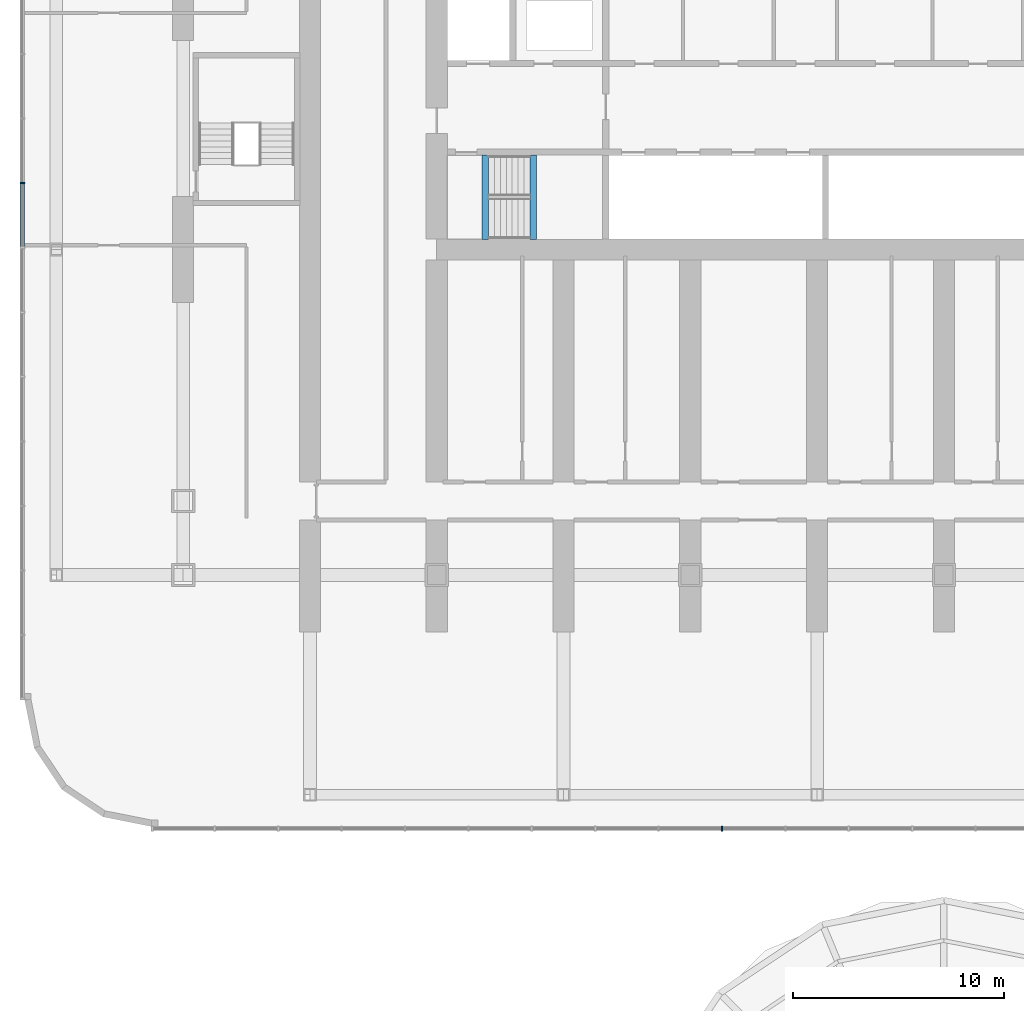
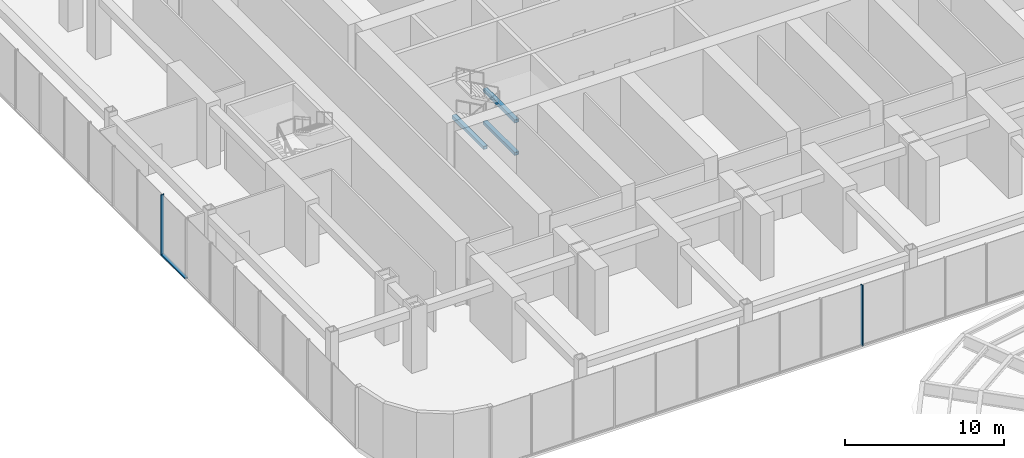
# One storey, part 6 of 37: 3 beams, 3 members, 2 elements without a shape of their own.
"""IFC4 building model written with IfcOpenShell, lengths in metres."""

import ifcopenshell
import ifcopenshell.guid

model = None  # the IFC model being written
_history = None  # IfcOwnerHistory: only IFC2X3 demands one
_inside = {}  # id of a spatial element -> (the spatial element, [elements in it])
_under = {}  # id of a project, library or spatial element -> (it, [spatial elements below it])
_declared = {}  # id of a project -> (the project, [libraries it declares])
_typed = {}  # id of a type object -> (the type object, [elements of that type])
_made_of = {}  # id of a material, layer set ... -> (it, [elements and type objects made of it])


def new_model(schema):
    """Start an empty IFC model of exactly this schema.

    Asked for "IFC4X3", IfcOpenShell would pick the latest addendum, in which some entities
    have other attributes; the version numbers below select the first issue.
    IFC2X3 requires an IfcOwnerHistory on every rooted entity: one is made here for all.
    """
    global model, _history
    if schema == "IFC4X3":
        model = ifcopenshell.file(schema_version=(4, 3, 0, 0))
    else:
        model = ifcopenshell.file(schema=schema)
    _inside.clear()
    _under.clear()
    _declared.clear()
    _typed.clear()
    _made_of.clear()
    _history = None
    if model.schema == "IFC2X3":
        org = make("IfcOrganization", Name="unknown")
        user = make(
            "IfcPersonAndOrganization",
            ThePerson=make("IfcPerson", FamilyName="unknown"),
            TheOrganization=org,
        )
        app = make(
            "IfcApplication",
            ApplicationDeveloper=org,
            Version="unknown",
            ApplicationFullName="unknown",
            ApplicationIdentifier="unknown",
        )
        _history = make(
            "IfcOwnerHistory",
            OwningUser=user,
            OwningApplication=app,
            ChangeAction="ADDED",
            CreationDate=0,
        )
    return model


def make(cls, **values):
    """One entity of the class cls with the attributes given. An attribute that is None is left unset."""
    return model.create_entity(
        cls, **{name: value for name, value in values.items() if value is not None}
    )


def rooted(cls, **values):
    """An entity with a GlobalId (a new one), such as an element, a storey or a relation."""
    return make(cls, GlobalId=ifcopenshell.guid.new(), OwnerHistory=_history, **values)


def si_unit(unit_type, name, prefix=None):
    """IfcSIUnit, for example si_unit("LENGTHUNIT", "METRE", prefix="MILLI")."""
    return make("IfcSIUnit", UnitType=unit_type, Prefix=prefix, Name=name)


def assignment(units):
    """IfcUnitAssignment: the units of a project."""
    return None if units is None else make("IfcUnitAssignment", Units=units)


def point(xyz):
    """IfcCartesianPoint."""
    return None if xyz is None else make("IfcCartesianPoint", Coordinates=xyz)


def direction(xyz):
    """IfcDirection."""
    return None if xyz is None else make("IfcDirection", DirectionRatios=xyz)


def frame(location, z_axis=None, x_axis=None):
    """IfcAxis2Placement3D, a coordinate frame: its origin and axes. An axis left out is left unset."""
    return make(
        "IfcAxis2Placement3D",
        Location=point(location),
        Axis=direction(z_axis),
        RefDirection=direction(x_axis),
    )


def frame_2d(location, x_axis=None):
    """IfcAxis2Placement2D, a coordinate frame in the plane: its origin and x axis."""
    return make(
        "IfcAxis2Placement2D", Location=point(location), RefDirection=direction(x_axis)
    )


def origin():
    """The frame at (0, 0, 0) with its axes left unset."""
    return frame((0.0, 0.0, 0.0))


def origin_2d():
    """The frame at (0, 0) in the plane with its x axis left unset."""
    return frame_2d((0.0, 0.0))


def place(relative_to, where):
    """IfcLocalPlacement: puts the frame where relative to a parent placement (None: the world)."""
    return make(
        "IfcLocalPlacement", PlacementRelTo=relative_to, RelativePlacement=where
    )


def context(
    kind, dimensions, precision=None, world=None, true_north=None, identifier=None
):
    """IfcGeometricRepresentationContext, for example the 3D "Model" context."""
    return make(
        "IfcGeometricRepresentationContext",
        ContextIdentifier=identifier,
        ContextType=kind,
        CoordinateSpaceDimension=dimensions,
        Precision=precision,
        WorldCoordinateSystem=world,
        TrueNorth=true_north,
    )


def subcontext(parent, identifier, kind, view, scale=None):
    """IfcGeometricRepresentationSubContext, for example "Body" below "Model"."""
    return make(
        "IfcGeometricRepresentationSubContext",
        ContextIdentifier=identifier,
        ContextType=kind,
        ParentContext=parent,
        TargetScale=scale,
        TargetView=view,
    )


def project(units=None, contexts=None):
    """IfcProject with its units and contexts."""
    return rooted(
        "IfcProject",
        Name="project",
        RepresentationContexts=contexts,
        UnitsInContext=assignment(units),
    )


def spatial(cls, under=None, at=None, **own):
    """A site, building, storey or space (cls), placed at a placement, below another one or the project."""
    s = rooted(cls, ObjectPlacement=at, **own)
    if under is not None:
        _under.setdefault(under.id(), (under, []))[1].append(s)
    return s


def profile(cls, at=None, kind="AREA", **sizes):
    """A parametric profile (cls). Its sizes go by their IFC names, for example OverallWidth=200.0."""
    return make(cls, ProfileType=kind, Position=at, **sizes)


def rectangle(**sizes):
    """IfcRectangleProfileDef."""
    return profile("IfcRectangleProfileDef", **sizes)


def hollow_rectangle(**sizes):
    """IfcRectangleHollowProfileDef."""
    return profile("IfcRectangleHollowProfileDef", **sizes)


def extrude(swept, where, along, depth):
    """IfcExtrudedAreaSolid: the profile swept, set in the frame where, extruded along a direction by depth."""
    return make(
        "IfcExtrudedAreaSolid",
        SweptArea=swept,
        Position=where,
        ExtrudedDirection=direction(along),
        Depth=depth,
    )


def shape(context_of_items, identifier, shape_type, items):
    """IfcShapeRepresentation: the items that make up one representation, for example the "Body"."""
    return make(
        "IfcShapeRepresentation",
        ContextOfItems=context_of_items,
        RepresentationIdentifier=identifier,
        RepresentationType=shape_type,
        Items=items,
    )


def material(Name=None, Category=None):
    """IfcMaterial."""
    return make("IfcMaterial", Name=Name, Category=Category)


def material_profile(
    of_material, cross_section, Name=None, Category=None, Priority=None
):
    """IfcMaterialProfile: a cross section and its material."""
    return make(
        "IfcMaterialProfile",
        Name=Name,
        Material=of_material,
        Profile=cross_section,
        Priority=Priority,
        Category=Category,
    )


def profile_set(profiles, Name=None, composite=None):
    """IfcMaterialProfileSet."""
    return make(
        "IfcMaterialProfileSet",
        Name=Name,
        MaterialProfiles=profiles,
        CompositeProfile=composite,
    )


def made_of(thing, what):
    """Note that an element or type object is made of a material, layer set ...; save() writes the relation."""
    if what is not None:
        _made_of.setdefault(what.id(), (what, []))[1].append(thing)
    return thing


def type_object(cls, material=None, **own):
    """A type object (cls), such as IfcWallType, which elements share."""
    return made_of(rooted(cls, **own), material)


def element(
    cls,
    number,
    at=None,
    inside=None,
    cuts=None,
    type_object=None,
    material=None,
    context=None,
    identifier="Body",
    shape_type=None,
    held_by="IfcProductDefinitionShape",
    body=None,
    shapes=None,
    **own,
):
    """One element of the class cls, such as IfcWall. Its Tag is "e" and its number.

    at: its placement. inside: the storey or other place that contains it. cuts: it is an
    opening in that element (IfcRelVoidsElement). A single representation is given by context,
    identifier, shape_type and body (its items); several are given by shapes. held_by: the class
    of the entity that holds the representations. save() writes the other relations.
    """
    e = rooted(cls, Tag="e%d" % number, ObjectPlacement=at, **own)
    if body is not None:
        shapes = [shape(context, identifier, shape_type, body)]
    if shapes is not None:
        e.Representation = make(held_by, Representations=shapes)
    if inside is not None:
        _inside.setdefault(inside.id(), (inside, []))[1].append(e)
    if cuts is not None:
        rooted(
            "IfcRelVoidsElement", RelatingBuildingElement=cuts, RelatedOpeningElement=e
        )
    if type_object is not None:
        _typed.setdefault(type_object.id(), (type_object, []))[1].append(e)
    return made_of(e, material)


def aggregate(whole, parts):
    """IfcRelAggregates: a whole, such as a stair, and the parts it consists of."""
    return rooted("IfcRelAggregates", RelatingObject=whole, RelatedObjects=parts)


def save(model, path):
    """Write the relations noted so far, then the file.

    IfcRelAggregates (storeys below a building ...), IfcRelContainedInSpatialStructure (elements
    in a storey), IfcRelDefinesByType, IfcRelAssociatesMaterial and IfcRelDeclares: one each for
    every whole, place, type object, material and project.
    """
    for whole, parts in _under.values():
        aggregate(whole, parts)
    for where, things in _inside.values():
        rooted(
            "IfcRelContainedInSpatialStructure",
            RelatedElements=things,
            RelatingStructure=where,
        )
    for kind, things in _typed.values():
        rooted("IfcRelDefinesByType", RelatedObjects=things, RelatingType=kind)
    for what, things in _made_of.values():
        rooted("IfcRelAssociatesMaterial", RelatedObjects=things, RelatingMaterial=what)
    for by, libraries in _declared.values():
        rooted("IfcRelDeclares", RelatingContext=by, RelatedDefinitions=libraries)
    model.write(path)


model = new_model("IFC4")

# Units and contexts
model_context = context("Model", 3, precision=1e-05, world=origin(), true_north=direction((0.0, 1.0)))
body_context = subcontext(model_context, "Body", "Model", "MODEL_VIEW")
ifc_project = project(units=[si_unit("LENGTHUNIT", "METRE"), si_unit("AREAUNIT", "SQUARE_METRE"), si_unit("VOLUMEUNIT", "CUBIC_METRE"), si_unit("PLANEANGLEUNIT", "RADIAN"), si_unit("MASSUNIT", "GRAM", prefix="KILO")], contexts=[model_context])

# Site, building, storey
site_placement = place(None, origin())
site = spatial("IfcSite", under=ifc_project, at=site_placement, CompositionType="ELEMENT")
building_placement = place(site_placement, origin())
building = spatial("IfcBuilding", under=site, at=building_placement, Name="Orbita Commons", CompositionType="ELEMENT")
storey_placement = place(building_placement, frame((0.0, 0.0, 6.0)))
storey = spatial("IfcBuildingStorey", under=building, at=storey_placement, Name="L01", CompositionType="ELEMENT", Elevation=6.0)

# Curtain wall, member
ifc_material_1 = material(Name="Anodised aluminium frame, pale silver", Category="aluminium")
curtain_wall_type = type_object("IfcCurtainWallType", Name="Podium storefront curtain wall CW-P", PredefinedType="NOTDEFINED", material=ifc_material_1)
curtain_wall_1_placement = place(storey_placement, origin())
curtain_wall_1 = element("IfcCurtainWall", 1, at=curtain_wall_1_placement, inside=storey, type_object=curtain_wall_type, Name="Curtain wall S 1 L01", PredefinedType="NOTDEFINED")
ifc_material_2 = material(Name="Anodised aluminium, pale silver", Category="aluminium")
ifc_material_profile_1 = material_profile(ifc_material_2, rectangle(XDim=0.080078125, YDim=0.219970703125, at=origin_2d()), Name="AL 80x220")
ifc_profile_set_1 = profile_set([ifc_material_profile_1], Name="Anodised aluminium, pale silver")
member_type_1 = type_object("IfcMemberType", Name="Curtain wall mullion 80x220", PredefinedType="MULLION", material=ifc_profile_set_1)
member_1_placement = place(storey_placement, frame((31.5, -1.610107421875, 0.0), z_axis=(0.0, 0.0, 1.0), x_axis=(1.0, 0.0, 0.0)))
member_1 = element("IfcMember", 2, at=member_1_placement, type_object=member_type_1, Name="Mullion 10 CW-L01-S0", PredefinedType="MULLION", context=body_context, shape_type="SweptSolid", body=[
    extrude(rectangle(XDim=0.080078125, YDim=0.219970703125, at=origin_2d()), origin(), (0.0, 0.0, 1.0), 4.64990234375),
])
aggregate(curtain_wall_1, [member_1])

# Curtain wall, members
curtain_wall_2_placement = place(storey_placement, origin())
curtain_wall_2 = element("IfcCurtainWall", 3, at=curtain_wall_2_placement, inside=storey, type_object=curtain_wall_type, Name="Curtain wall W 1 L01", PredefinedType="NOTDEFINED")
member_2_placement = place(storey_placement, frame((-1.610107421875, 28.9443359375, 0.0), z_axis=(0.0, 0.0, 1.0), x_axis=(0.0, -1.0, 0.0)))
member_2 = element("IfcMember", 4, at=member_2_placement, type_object=member_type_1, Name="Mullion 11 CW-L01-W0", PredefinedType="MULLION", context=body_context, shape_type="SweptSolid", body=[
    extrude(rectangle(XDim=0.080078125, YDim=0.219970703125, at=origin_2d()), origin(), (0.0, 0.0, 1.0), 4.64990234375),
])
ifc_material_3 = material(Name="Anodised aluminium, pale silver", Category="aluminium")
ifc_material_profile_2 = material_profile(ifc_material_3, rectangle(XDim=0.219970703125, YDim=0.10009765625, at=origin_2d()), Name="AL 220x100")
ifc_profile_set_2 = profile_set([ifc_material_profile_2], Name="Anodised aluminium, pale silver")
member_type_2 = type_object("IfcMemberType", Name="Curtain wall stack transom 220x100", PredefinedType="USERDEFINED", material=ifc_profile_set_2)
member_3_placement = place(storey_placement, frame((-1.610107421875, 28.904541015625, 0.050048828125), z_axis=(0.0, -1.0, 0.0), x_axis=(1.0, 0.0, 0.0)))
member_3 = element("IfcMember", 5, at=member_3_placement, type_object=member_type_2, Name="Transom 11.1 CW-L01-W0", ObjectType="TRANSOM", PredefinedType="USERDEFINED", context=body_context, shape_type="SweptSolid", body=[
    extrude(rectangle(XDim=0.219970703125, YDim=0.10009765625, at=origin_2d()), origin(), (0.0, 0.0, 1.0), 2.9755859375),
])
aggregate(curtain_wall_2, [member_2, member_3])

# Beams
ifc_material_4 = material(Name="Steel ASTM A572 Gr 50 welded plate", Category="steel")
ifc_material_profile_3 = material_profile(ifc_material_4, hollow_rectangle(XDim=0.300048828125, YDim=0.25, WallThickness=0.02490234375, at=origin_2d()), Name="BOX 250x300x25")
ifc_profile_set_3 = profile_set([ifc_material_profile_3], Name="Steel ASTM A572 Gr 50 welded plate")
beam_type = type_object("IfcBeamType", Name="Stair landing beam steel BOX 250x300x25", PredefinedType="BEAM", material=ifc_profile_set_3)
for number, where, z_axis, x_axis, name in (
    (6, (22.56005859375, 26.284912109375, 0.925048828125), (0.0, 1.0, 0.0), (-1.0, 0.0, 0.0), "Stair S1 landing beam L01 1"),
    (7, (20.300048828125, 26.284912109375, 2.175048828125), (0.0, 1.0, 0.0), (-1.0, 0.0, 0.0), "Stair S1 landing beam L01 2"),
    (8, (22.56005859375, 26.284912109375, 3.425048828125), (0.0, 1.0, 0.0), (-1.0, 0.0, 0.0), "Stair S1 landing beam L01 3"),
):
    element("IfcBeam", number, at=place(storey_placement, frame(where, z_axis=z_axis, x_axis=x_axis)), inside=storey, type_object=beam_type, Name=name, PredefinedType="BEAM", context=body_context, shape_type="SweptSolid", body=[
        extrude(hollow_rectangle(XDim=0.300048828125, YDim=0.25, WallThickness=0.02490234375, at=origin_2d()), origin(), (0.0, 0.0, 1.0), 3.97998046875),
    ])

save(model, "model.ifc")
